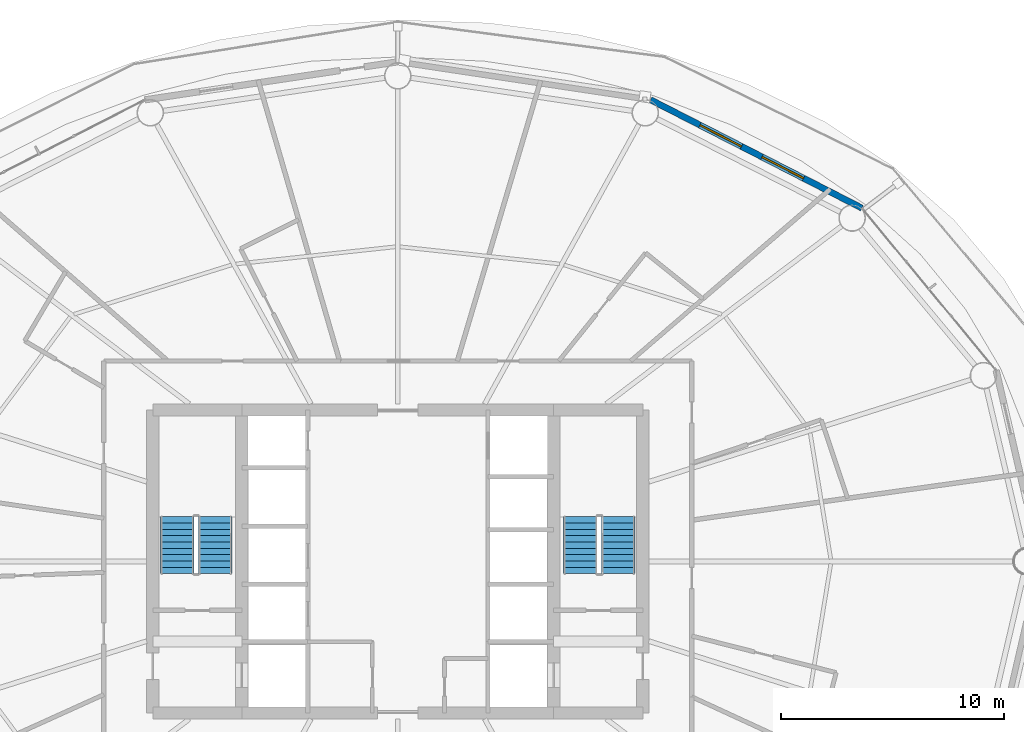
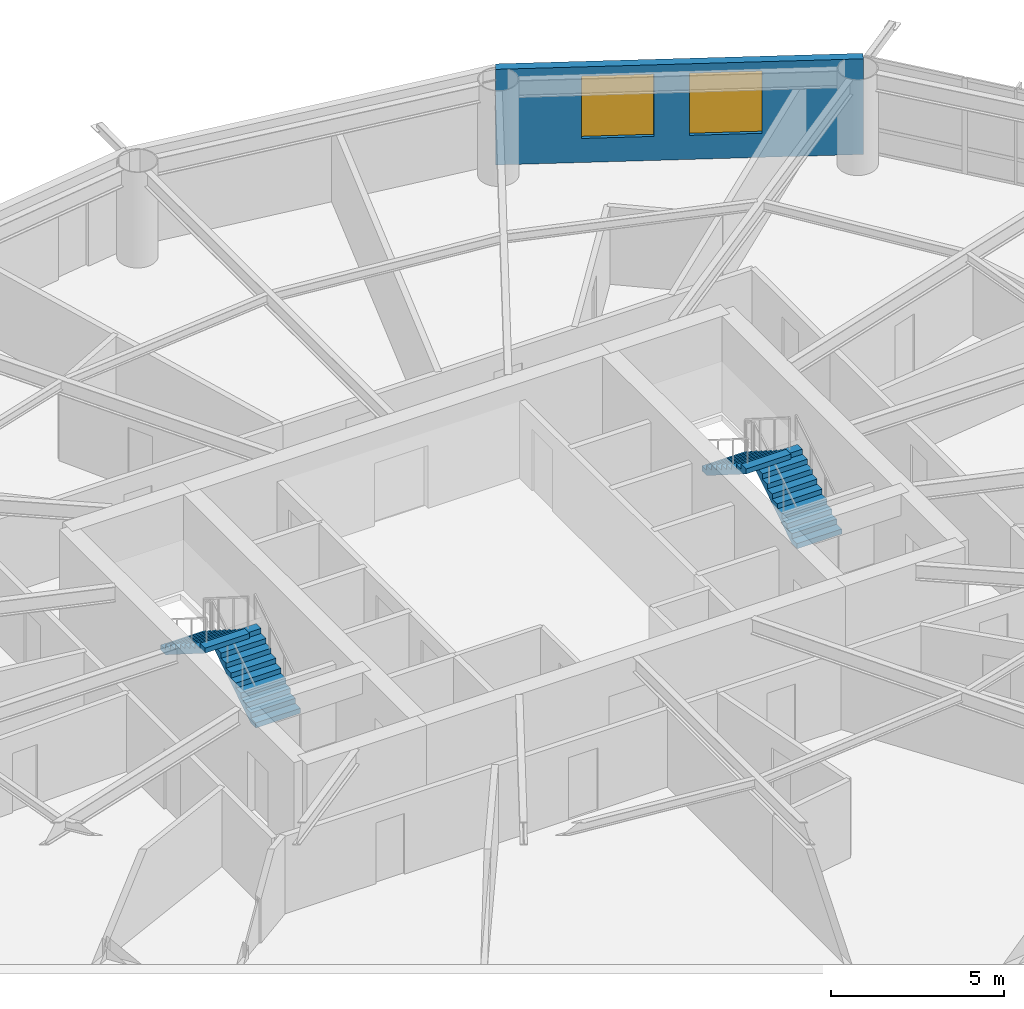
# One storey, part 21 of 24: 4 stair flights, 2 windows, 1 wall, 2 openings, 2 elements without a shape of their own.
"""IFC4 building model written with IfcOpenShell, lengths in metres."""

from ifc_helpers import new_model, si_unit, direction, frame, frame_2d, origin, place, context, subcontext, project, spatial, polyline, rectangle, outline, extrude, material, layer, layer_set, type_object, element, fill, aggregate, save


model = new_model("IFC4")

# Units and contexts
model_context = context("Model", 3, precision=1e-05, world=origin(), true_north=direction((0.0, 1.0)))
body_context = subcontext(model_context, "Body", "Model", "MODEL_VIEW")
ifc_project = project(units=[si_unit("LENGTHUNIT", "METRE"), si_unit("AREAUNIT", "SQUARE_METRE"), si_unit("VOLUMEUNIT", "CUBIC_METRE"), si_unit("PLANEANGLEUNIT", "RADIAN"), si_unit("MASSUNIT", "GRAM", prefix="KILO")], contexts=[model_context])

# Site, building, storey
site_placement = place(None, origin())
site = spatial("IfcSite", under=ifc_project, at=site_placement, CompositionType="ELEMENT")
building_placement = place(site_placement, origin())
building = spatial("IfcBuilding", under=site, at=building_placement, Name="Sarneth Arch Tower", CompositionType="ELEMENT")
storey_placement = place(building_placement, frame((0.0, 0.0, 116.39990234375)))
storey = spatial("IfcBuildingStorey", under=building, at=storey_placement, Name="L29", CompositionType="ELEMENT", Elevation=116.39990234375)

# Wall, openings, windows
ifc_material_1 = material(Name="Extruded terracotta rainscreen on Concrete C40/50 backing", Category="masonry")
ifc_layer = layer(ifc_material_1, 0.280029296875)
ifc_layer_set = layer_set([ifc_layer], Name="Extruded terracotta rainscreen on Concrete C40/50 backing")
wall_type = type_object("IfcWallType", Name="WALL-EXT-TERRA-280", PredefinedType="SOLIDWALL", material=ifc_layer_set)
wall_placement = place(storey_placement, frame((68.840087890625, 57.8603515625, 0.0), z_axis=(0.0, 0.0, 1.0), x_axis=(-0.889959505023, 0.45603955905, 0.0)))
wall = element("IfcWall", 1, at=wall_placement, inside=storey, type_object=wall_type, Name="L29 Terracotta perimeter wall 03", PredefinedType="SOLIDWALL", context=body_context, shape_type="SweptSolid", body=[
    extrude(rectangle(XDim=10.662109375, YDim=0.280029296875, at=frame_2d((5.3310546875, 0.0))), origin(), (0.0, 0.0, 1.0), 3.380126953125),
])
opening_1_placement = place(wall_placement, frame((2.9423828125, 0.0, 0.85009765625)))
opening_1 = element("IfcOpeningElement", 2, at=opening_1_placement, cuts=wall, Name="Opening W-03", PredefinedType="OPENING", context=body_context, shape_type="SweptSolid", body=[
    extrude(rectangle(XDim=2.10009765625, YDim=2.199951171875, at=frame_2d((1.050048828125, 1.10009765625))), frame((0.0, 0.14990234375, 0.0), z_axis=(0.0, -1.0, 0.0), x_axis=(1.0, 0.0, 0.0)), (0.0, 0.0, 1.0), 0.300048828125),
])
opening_2_placement = place(wall_placement, frame((6.076904296875, 0.0, 0.85009765625)))
opening_2 = element("IfcOpeningElement", 3, at=opening_2_placement, cuts=wall, Name="Opening W-03", PredefinedType="OPENING", context=body_context, shape_type="SweptSolid", body=[
    extrude(rectangle(XDim=2.10009765625, YDim=2.199951171875, at=frame_2d((1.050048828125, 1.10009765625))), frame((0.0, 0.14990234375, 0.0), z_axis=(0.0, -1.0, 0.0), x_axis=(1.0, 0.0, 0.0)), (0.0, 0.0, 1.0), 0.300048828125),
])
ifc_material_2 = material(Name="Thermally broken Aluminium 6063-T6 and low-e laminated IGU", Category="aluminium")
window_type = type_object("IfcWindowType", Name="WIN-TWR-2100x2200", PartitioningType="DOUBLE_PANEL_VERTICAL", PredefinedType="WINDOW", material=ifc_material_2)
window_1_placement = place(opening_1_placement, origin())
window_1 = element("IfcWindow", 4, at=window_1_placement, inside=storey, type_object=window_type, Name="L29 Exterior window 03A", OverallHeight=2.199951171875, OverallWidth=2.10009765625, PartitioningType="SINGLE_PANEL", PredefinedType="WINDOW", context=body_context, shape_type="SweptSolid", body=[
    extrude(rectangle(XDim=2.10009765625, YDim=2.199951171875, at=frame_2d((1.050048828125, 1.10009765625))), frame((0.0, 0.030029296875, 0.0), z_axis=(0.0, -1.0, 0.0), x_axis=(1.0, 0.0, 0.0)), (0.0, 0.0, 1.0), 0.06005859375),
])
fill(opening_1, window_1)
window_2_placement = place(opening_2_placement, origin())
window_2 = element("IfcWindow", 5, at=window_2_placement, inside=storey, type_object=window_type, Name="L29 Exterior window 03B", OverallHeight=2.199951171875, OverallWidth=2.10009765625, PartitioningType="SINGLE_PANEL", PredefinedType="WINDOW", context=body_context, shape_type="SweptSolid", body=[
    extrude(rectangle(XDim=2.10009765625, YDim=2.199951171875, at=frame_2d((1.050048828125, 1.10009765625))), frame((0.0, 0.030029296875, 0.0), z_axis=(0.0, -1.0, 0.0), x_axis=(1.0, 0.0, 0.0)), (0.0, 0.0, 1.0), 0.06005859375),
])
fill(opening_2, window_2)

# Stair, stair flights
ifc_material_3 = material(Name="Concrete C50/60", Category="concrete")
stair_type = type_object("IfcStairType", Name="STAIR-CORE-RC", PredefinedType="HALF_TURN_STAIR", material=ifc_material_3)
stair_1_placement = place(storey_placement, origin())
stair_1 = element("IfcStair", 6, at=stair_1_placement, inside=storey, type_object=stair_type, Name="L29 Core Exit Stair 1", PredefinedType="HALF_TURN_STAIR")
ifc_material_4 = material(Name="Concrete C50/60", Category="concrete")
stair_flight_type = type_object("IfcStairFlightType", Name="FLIGHT-RC-1500", PredefinedType="STRAIGHT", material=ifc_material_4)
stair_flight_1_placement = place(storey_placement, frame((39.800048828125, 41.449951171875, 0.0), z_axis=(0.0, 0.0, 1.0), x_axis=(0.0, 1.0, 0.0)))
stair_flight_1 = element("IfcStairFlight", 7, at=stair_flight_1_placement, type_object=stair_flight_type, Name="ST-1 flight 1", NumberOfRisers=10, NumberOfTreads=9, PredefinedType="STRAIGHT", RiserHeight=0.18, TreadLength=0.285, context=body_context, shape_type="SweptSolid", body=[
    extrude(outline(polyline([(0.0, 0.0), (0.0, 0.179931640625), (0.284912109375, 0.179931640625), (0.284912109375, 0.360107421875), (0.570068359375, 0.360107421875), (0.570068359375, 0.5400390625), (0.85498046875, 0.5400390625), (0.85498046875, 0.719970703125), (1.139892578125, 0.719970703125), (1.139892578125, 0.89990234375), (1.425048828125, 0.89990234375), (1.425048828125, 1.080078125), (1.7099609375, 1.080078125), (1.7099609375, 1.260009765625), (1.9951171875, 1.260009765625), (1.9951171875, 1.43994140625), (2.280029296875, 1.43994140625), (2.280029296875, 1.6201171875), (2.56494140625, 1.6201171875), (2.56494140625, 1.800048828125), (2.56494140625, 1.442626953125), (0.28076171875, 0.0), (0.0, 0.0)])), frame((0.0, 0.75, 0.0), z_axis=(0.0, -1.0, 0.0), x_axis=(1.0, 0.0, 0.0)), (0.0, 0.0, 1.0), 1.5),
])
stair_flight_2_placement = place(storey_placement, frame((38.10009765625, 44.014892578125, 1.800048828125), z_axis=(0.0, 0.0, 1.0), x_axis=(0.0, -1.0, 0.0)))
stair_flight_2 = element("IfcStairFlight", 8, at=stair_flight_2_placement, type_object=stair_flight_type, Name="ST-1 flight 2", NumberOfRisers=10, NumberOfTreads=9, PredefinedType="STRAIGHT", RiserHeight=0.18, TreadLength=0.285, context=body_context, shape_type="SweptSolid", body=[
    extrude(outline(polyline([(0.0, 0.0), (0.0, 0.179931640625), (0.284912109375, 0.179931640625), (0.284912109375, 0.360107421875), (0.570068359375, 0.360107421875), (0.570068359375, 0.5400390625), (0.85498046875, 0.5400390625), (0.85498046875, 0.719970703125), (1.139892578125, 0.719970703125), (1.139892578125, 0.89990234375), (1.425048828125, 0.89990234375), (1.425048828125, 1.080078125), (1.7099609375, 1.080078125), (1.7099609375, 1.260009765625), (1.9951171875, 1.260009765625), (1.9951171875, 1.43994140625), (2.280029296875, 1.43994140625), (2.280029296875, 1.6201171875), (2.56494140625, 1.6201171875), (2.56494140625, 1.800048828125), (2.56494140625, 1.442626953125), (0.28076171875, 0.0), (0.0, 0.0)])), frame((0.0, 0.75, 0.0), z_axis=(0.0, -1.0, 0.0), x_axis=(1.0, 0.0, 0.0)), (0.0, 0.0, 1.0), 1.5),
])
aggregate(stair_1, [stair_flight_1, stair_flight_2])

stair_2_placement = place(storey_placement, origin())
stair_2 = element("IfcStair", 9, at=stair_2_placement, inside=storey, type_object=stair_type, Name="L29 Core Exit Stair 2", PredefinedType="HALF_TURN_STAIR")
stair_flight_3_placement = place(storey_placement, frame((57.89990234375, 41.449951171875, 0.0), z_axis=(0.0, 0.0, 1.0), x_axis=(0.0, 1.0, 0.0)))
stair_flight_3 = element("IfcStairFlight", 10, at=stair_flight_3_placement, type_object=stair_flight_type, Name="ST-2 flight 1", NumberOfRisers=10, NumberOfTreads=9, PredefinedType="STRAIGHT", RiserHeight=0.18, TreadLength=0.285, context=body_context, shape_type="SweptSolid", body=[
    extrude(outline(polyline([(0.0, 0.0), (0.0, 0.179931640625), (0.284912109375, 0.179931640625), (0.284912109375, 0.360107421875), (0.570068359375, 0.360107421875), (0.570068359375, 0.5400390625), (0.85498046875, 0.5400390625), (0.85498046875, 0.719970703125), (1.139892578125, 0.719970703125), (1.139892578125, 0.89990234375), (1.425048828125, 0.89990234375), (1.425048828125, 1.080078125), (1.7099609375, 1.080078125), (1.7099609375, 1.260009765625), (1.9951171875, 1.260009765625), (1.9951171875, 1.43994140625), (2.280029296875, 1.43994140625), (2.280029296875, 1.6201171875), (2.56494140625, 1.6201171875), (2.56494140625, 1.800048828125), (2.56494140625, 1.442626953125), (0.28076171875, 0.0), (0.0, 0.0)])), frame((0.0, 0.75, 0.0), z_axis=(0.0, -1.0, 0.0), x_axis=(1.0, 0.0, 0.0)), (0.0, 0.0, 1.0), 1.5),
])
stair_flight_4_placement = place(storey_placement, frame((56.199951171875, 44.014892578125, 1.800048828125), z_axis=(0.0, 0.0, 1.0), x_axis=(0.0, -1.0, 0.0)))
stair_flight_4 = element("IfcStairFlight", 11, at=stair_flight_4_placement, type_object=stair_flight_type, Name="ST-2 flight 2", NumberOfRisers=10, NumberOfTreads=9, PredefinedType="STRAIGHT", RiserHeight=0.18, TreadLength=0.285, context=body_context, shape_type="SweptSolid", body=[
    extrude(outline(polyline([(0.0, 0.0), (0.0, 0.179931640625), (0.284912109375, 0.179931640625), (0.284912109375, 0.360107421875), (0.570068359375, 0.360107421875), (0.570068359375, 0.5400390625), (0.85498046875, 0.5400390625), (0.85498046875, 0.719970703125), (1.139892578125, 0.719970703125), (1.139892578125, 0.89990234375), (1.425048828125, 0.89990234375), (1.425048828125, 1.080078125), (1.7099609375, 1.080078125), (1.7099609375, 1.260009765625), (1.9951171875, 1.260009765625), (1.9951171875, 1.43994140625), (2.280029296875, 1.43994140625), (2.280029296875, 1.6201171875), (2.56494140625, 1.6201171875), (2.56494140625, 1.800048828125), (2.56494140625, 1.442626953125), (0.28076171875, 0.0), (0.0, 0.0)])), frame((0.0, 0.75, 0.0), z_axis=(0.0, -1.0, 0.0), x_axis=(1.0, 0.0, 0.0)), (0.0, 0.0, 1.0), 1.5),
])
aggregate(stair_2, [stair_flight_3, stair_flight_4])

save(model, "model.ifc")
